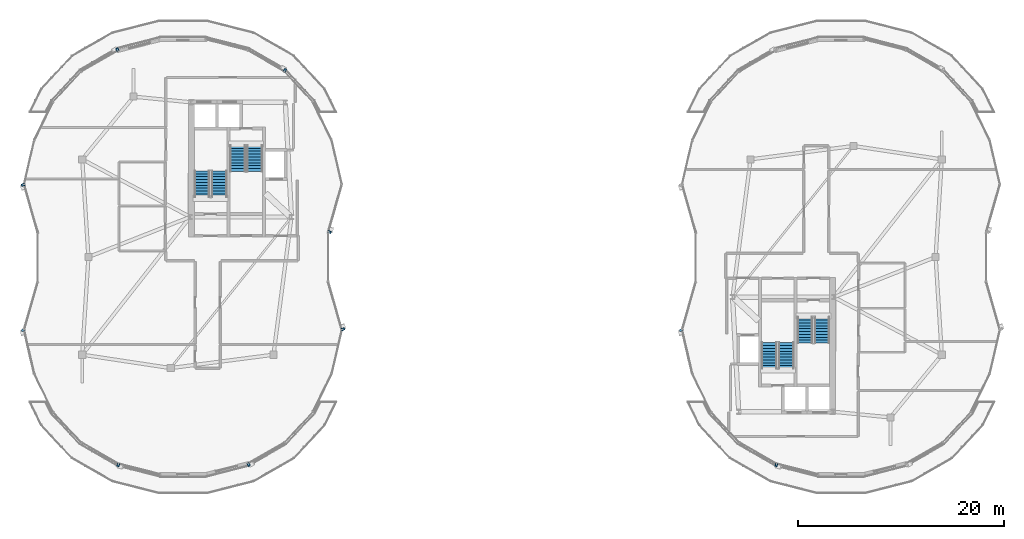
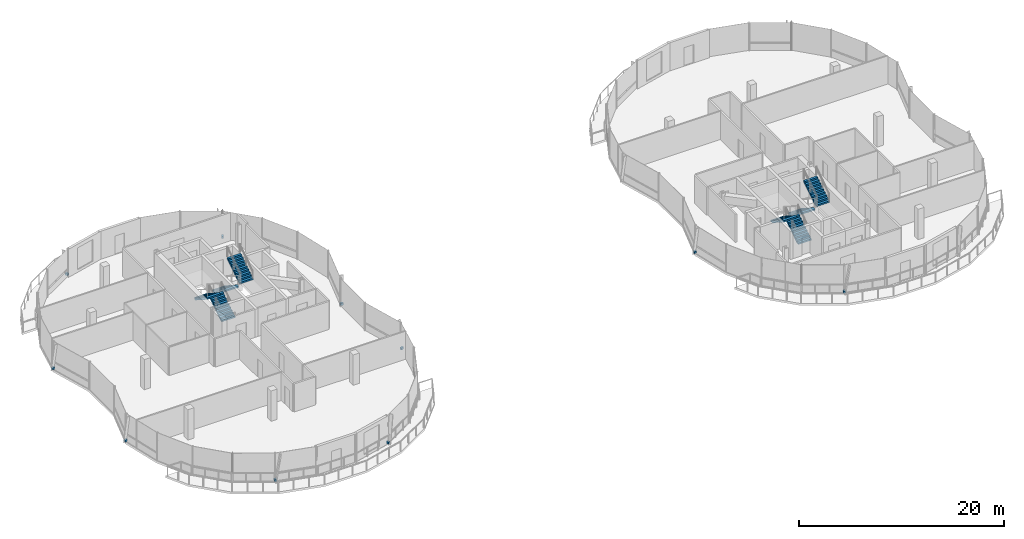
# One storey, part 15 of 20: 10 discrete accessories, 8 stair flights, 4 elements without a shape of their own.
"""IFC4 building model written with IfcOpenShell, lengths in metres."""

from ifc_helpers import new_model, si_unit, direction, frame, origin, origin_2d, place, context, subcontext, project, spatial, polyline, rectangle, outline, extrude, material, type_object, element, aggregate, save


model = new_model("IFC4")

# Units and contexts
model_context = context("Model", 3, precision=1e-05, world=origin(), true_north=direction((0.0, 1.0)))
body_context = subcontext(model_context, "Body", "Model", "MODEL_VIEW")
ifc_project = project(units=[si_unit("LENGTHUNIT", "METRE"), si_unit("AREAUNIT", "SQUARE_METRE"), si_unit("VOLUMEUNIT", "CUBIC_METRE"), si_unit("PLANEANGLEUNIT", "RADIAN"), si_unit("MASSUNIT", "GRAM", prefix="KILO"), si_unit("THERMODYNAMICTEMPERATUREUNIT", "KELVIN"), si_unit("POWERUNIT", "WATT")], contexts=[model_context])

# Site, building, storey
site_placement = place(None, origin())
site = spatial("IfcSite", under=ifc_project, at=site_placement, CompositionType="ELEMENT")
building_placement = place(site_placement, origin())
building = spatial("IfcBuilding", under=site, at=building_placement, Name="Cundina Bronze Exchange", CompositionType="ELEMENT")
storey_placement = place(building_placement, frame((0.0, 0.0, 279.199951171875)))
storey = spatial("IfcBuildingStorey", under=building, at=storey_placement, Name="L74", CompositionType="ELEMENT", Elevation=279.199951171875)

# Stair, stair flights
ifc_material_1 = material(Name="Concrete C40/50", Category="concrete")
stair_type = type_object("IfcStairType", Name="STR-OFF-360", PredefinedType="HALF_TURN_STAIR", material=ifc_material_1)
stair_1_placement = place(storey_placement, origin())
stair_1 = element("IfcStair", 1, at=stair_1_placement, inside=storey, type_object=stair_type, Name="L74 Smokeproof Exit Stair W1", PredefinedType="HALF_TURN_STAIR")
stair_flight_type = type_object("IfcStairFlightType", Name="FLG-OFF-180", PredefinedType="STRAIGHT", material=ifc_material_1)
stair_flight_1_placement = place(storey_placement, frame((-28.489990234375, 5.85009765625, 0.0), z_axis=(0.0, 0.0, 1.0), x_axis=(0.0, 1.0, 0.0)))
stair_flight_1 = element("IfcStairFlight", 2, at=stair_flight_1_placement, type_object=stair_flight_type, Name="ST-W1 flight 1", NumberOfRisers=10, NumberOfTreads=9, PredefinedType="STRAIGHT", RiserHeight=0.18, TreadLength=0.28, context=body_context, shape_type="SweptSolid", body=[
    extrude(outline(polyline([(0.0, 0.0), (0.0, 0.179931640625), (0.280029296875, 0.179931640625), (0.280029296875, 0.360107421875), (0.56005859375, 0.360107421875), (0.56005859375, 0.5400390625), (0.840087890625, 0.5400390625), (0.840087890625, 0.719970703125), (1.1201171875, 0.719970703125), (1.1201171875, 0.89990234375), (1.39990234375, 0.89990234375), (1.39990234375, 1.080078125), (1.679931640625, 1.080078125), (1.679931640625, 1.260009765625), (1.9599609375, 1.260009765625), (1.9599609375, 1.43994140625), (2.239990234375, 1.43994140625), (2.239990234375, 1.6201171875), (2.52001953125, 1.6201171875), (2.52001953125, 1.800048828125), (2.52001953125, 1.44189453125), (0.277099609375, 0.0), (0.0, 0.0)])), frame((0.0, 0.75, 0.0), z_axis=(0.0, -1.0, 0.0), x_axis=(1.0, 0.0, 0.0)), (0.0, 0.0, 1.0), 1.5),
])
stair_flight_2_placement = place(storey_placement, frame((-30.14990234375, 8.3701171875, 1.800048828125), z_axis=(0.0, 0.0, 1.0), x_axis=(0.0, -1.0, 0.0)))
stair_flight_2 = element("IfcStairFlight", 3, at=stair_flight_2_placement, type_object=stair_flight_type, Name="ST-W1 flight 2", NumberOfRisers=10, NumberOfTreads=9, PredefinedType="STRAIGHT", RiserHeight=0.18, TreadLength=0.28, context=body_context, shape_type="SweptSolid", body=[
    extrude(outline(polyline([(0.0, 0.0), (0.0, 0.179931640625), (0.280029296875, 0.179931640625), (0.280029296875, 0.360107421875), (0.56005859375, 0.360107421875), (0.56005859375, 0.5400390625), (0.840087890625, 0.5400390625), (0.840087890625, 0.719970703125), (1.1201171875, 0.719970703125), (1.1201171875, 0.89990234375), (1.39990234375, 0.89990234375), (1.39990234375, 1.080078125), (1.679931640625, 1.080078125), (1.679931640625, 1.260009765625), (1.9599609375, 1.260009765625), (1.9599609375, 1.43994140625), (2.239990234375, 1.43994140625), (2.239990234375, 1.6201171875), (2.52001953125, 1.6201171875), (2.52001953125, 1.800048828125), (2.52001953125, 1.44189453125), (0.277099609375, 0.0), (0.0, 0.0)])), frame((0.0, 0.75, 0.0), z_axis=(0.0, -1.0, 0.0), x_axis=(1.0, 0.0, 0.0)), (0.0, 0.0, 1.0), 1.5),
])
aggregate(stair_1, [stair_flight_1, stair_flight_2])

stair_2_placement = place(storey_placement, origin())
stair_2 = element("IfcStair", 4, at=stair_2_placement, inside=storey, type_object=stair_type, Name="L74 Smokeproof Exit Stair W2", PredefinedType="HALF_TURN_STAIR")
stair_flight_3_placement = place(storey_placement, frame((-26.68994140625, 10.85009765625, 0.0), z_axis=(0.0, 0.0, 1.0), x_axis=(0.0, -1.0, 0.0)))
stair_flight_3 = element("IfcStairFlight", 5, at=stair_flight_3_placement, type_object=stair_flight_type, Name="ST-W2 flight 1", NumberOfRisers=10, NumberOfTreads=9, PredefinedType="STRAIGHT", RiserHeight=0.18, TreadLength=0.28, context=body_context, shape_type="SweptSolid", body=[
    extrude(outline(polyline([(0.0, 0.0), (0.0, 0.179931640625), (0.280029296875, 0.179931640625), (0.280029296875, 0.360107421875), (0.56005859375, 0.360107421875), (0.56005859375, 0.5400390625), (0.840087890625, 0.5400390625), (0.840087890625, 0.719970703125), (1.1201171875, 0.719970703125), (1.1201171875, 0.89990234375), (1.39990234375, 0.89990234375), (1.39990234375, 1.080078125), (1.679931640625, 1.080078125), (1.679931640625, 1.260009765625), (1.9599609375, 1.260009765625), (1.9599609375, 1.43994140625), (2.239990234375, 1.43994140625), (2.239990234375, 1.6201171875), (2.52001953125, 1.6201171875), (2.52001953125, 1.800048828125), (2.52001953125, 1.44189453125), (0.277099609375, 0.0), (0.0, 0.0)])), frame((0.0, 0.75, 0.0), z_axis=(0.0, -1.0, 0.0), x_axis=(1.0, 0.0, 0.0)), (0.0, 0.0, 1.0), 1.5),
])
stair_flight_4_placement = place(storey_placement, frame((-25.030029296875, 8.330078125, 1.800048828125), z_axis=(0.0, 0.0, 1.0), x_axis=(0.0, 1.0, 0.0)))
stair_flight_4 = element("IfcStairFlight", 6, at=stair_flight_4_placement, type_object=stair_flight_type, Name="ST-W2 flight 2", NumberOfRisers=10, NumberOfTreads=9, PredefinedType="STRAIGHT", RiserHeight=0.18, TreadLength=0.28, context=body_context, shape_type="SweptSolid", body=[
    extrude(outline(polyline([(0.0, 0.0), (0.0, 0.179931640625), (0.280029296875, 0.179931640625), (0.280029296875, 0.360107421875), (0.56005859375, 0.360107421875), (0.56005859375, 0.5400390625), (0.840087890625, 0.5400390625), (0.840087890625, 0.719970703125), (1.1201171875, 0.719970703125), (1.1201171875, 0.89990234375), (1.39990234375, 0.89990234375), (1.39990234375, 1.080078125), (1.679931640625, 1.080078125), (1.679931640625, 1.260009765625), (1.9599609375, 1.260009765625), (1.9599609375, 1.43994140625), (2.239990234375, 1.43994140625), (2.239990234375, 1.6201171875), (2.52001953125, 1.6201171875), (2.52001953125, 1.800048828125), (2.52001953125, 1.44189453125), (0.277099609375, 0.0), (0.0, 0.0)])), frame((0.0, 0.75, 0.0), z_axis=(0.0, -1.0, 0.0), x_axis=(1.0, 0.0, 0.0)), (0.0, 0.0, 1.0), 1.5),
])
aggregate(stair_2, [stair_flight_3, stair_flight_4])

stair_3_placement = place(storey_placement, origin())
stair_3 = element("IfcStair", 7, at=stair_3_placement, inside=storey, type_object=stair_type, Name="L74 Smokeproof Exit Stair E1", PredefinedType="HALF_TURN_STAIR")
stair_flight_5_placement = place(storey_placement, frame((28.489990234375, -5.85009765625, 0.0), z_axis=(0.0, 0.0, 1.0), x_axis=(0.0, -1.0, 0.0)))
stair_flight_5 = element("IfcStairFlight", 8, at=stair_flight_5_placement, type_object=stair_flight_type, Name="ST-E1 flight 1", NumberOfRisers=10, NumberOfTreads=9, PredefinedType="STRAIGHT", RiserHeight=0.18, TreadLength=0.28, context=body_context, shape_type="SweptSolid", body=[
    extrude(outline(polyline([(0.0, 0.0), (0.0, 0.179931640625), (0.280029296875, 0.179931640625), (0.280029296875, 0.360107421875), (0.56005859375, 0.360107421875), (0.56005859375, 0.5400390625), (0.840087890625, 0.5400390625), (0.840087890625, 0.719970703125), (1.1201171875, 0.719970703125), (1.1201171875, 0.89990234375), (1.39990234375, 0.89990234375), (1.39990234375, 1.080078125), (1.679931640625, 1.080078125), (1.679931640625, 1.260009765625), (1.9599609375, 1.260009765625), (1.9599609375, 1.43994140625), (2.239990234375, 1.43994140625), (2.239990234375, 1.6201171875), (2.52001953125, 1.6201171875), (2.52001953125, 1.800048828125), (2.52001953125, 1.44189453125), (0.277099609375, 0.0), (0.0, 0.0)])), frame((0.0, 0.75, 0.0), z_axis=(0.0, -1.0, 0.0), x_axis=(1.0, 0.0, 0.0)), (0.0, 0.0, 1.0), 1.5),
])
stair_flight_6_placement = place(storey_placement, frame((30.14990234375, -8.3701171875, 1.800048828125), z_axis=(0.0, 0.0, 1.0), x_axis=(0.0, 1.0, 0.0)))
stair_flight_6 = element("IfcStairFlight", 9, at=stair_flight_6_placement, type_object=stair_flight_type, Name="ST-E1 flight 2", NumberOfRisers=10, NumberOfTreads=9, PredefinedType="STRAIGHT", RiserHeight=0.18, TreadLength=0.28, context=body_context, shape_type="SweptSolid", body=[
    extrude(outline(polyline([(0.0, 0.0), (0.0, 0.179931640625), (0.280029296875, 0.179931640625), (0.280029296875, 0.360107421875), (0.56005859375, 0.360107421875), (0.56005859375, 0.5400390625), (0.840087890625, 0.5400390625), (0.840087890625, 0.719970703125), (1.1201171875, 0.719970703125), (1.1201171875, 0.89990234375), (1.39990234375, 0.89990234375), (1.39990234375, 1.080078125), (1.679931640625, 1.080078125), (1.679931640625, 1.260009765625), (1.9599609375, 1.260009765625), (1.9599609375, 1.43994140625), (2.239990234375, 1.43994140625), (2.239990234375, 1.6201171875), (2.52001953125, 1.6201171875), (2.52001953125, 1.800048828125), (2.52001953125, 1.44189453125), (0.277099609375, 0.0), (0.0, 0.0)])), frame((0.0, 0.75, 0.0), z_axis=(0.0, -1.0, 0.0), x_axis=(1.0, 0.0, 0.0)), (0.0, 0.0, 1.0), 1.5),
])
aggregate(stair_3, [stair_flight_5, stair_flight_6])

stair_4_placement = place(storey_placement, origin())
stair_4 = element("IfcStair", 10, at=stair_4_placement, inside=storey, type_object=stair_type, Name="L74 Smokeproof Exit Stair E2", PredefinedType="HALF_TURN_STAIR")
stair_flight_7_placement = place(storey_placement, frame((26.68994140625, -10.85009765625, 0.0), z_axis=(0.0, 0.0, 1.0), x_axis=(0.0, 1.0, 0.0)))
stair_flight_7 = element("IfcStairFlight", 11, at=stair_flight_7_placement, type_object=stair_flight_type, Name="ST-E2 flight 1", NumberOfRisers=10, NumberOfTreads=9, PredefinedType="STRAIGHT", RiserHeight=0.18, TreadLength=0.28, context=body_context, shape_type="SweptSolid", body=[
    extrude(outline(polyline([(0.0, 0.0), (0.0, 0.179931640625), (0.280029296875, 0.179931640625), (0.280029296875, 0.360107421875), (0.56005859375, 0.360107421875), (0.56005859375, 0.5400390625), (0.840087890625, 0.5400390625), (0.840087890625, 0.719970703125), (1.1201171875, 0.719970703125), (1.1201171875, 0.89990234375), (1.39990234375, 0.89990234375), (1.39990234375, 1.080078125), (1.679931640625, 1.080078125), (1.679931640625, 1.260009765625), (1.9599609375, 1.260009765625), (1.9599609375, 1.43994140625), (2.239990234375, 1.43994140625), (2.239990234375, 1.6201171875), (2.52001953125, 1.6201171875), (2.52001953125, 1.800048828125), (2.52001953125, 1.44189453125), (0.277099609375, 0.0), (0.0, 0.0)])), frame((0.0, 0.75, 0.0), z_axis=(0.0, -1.0, 0.0), x_axis=(1.0, 0.0, 0.0)), (0.0, 0.0, 1.0), 1.5),
])
stair_flight_8_placement = place(storey_placement, frame((25.030029296875, -8.330078125, 1.800048828125), z_axis=(0.0, 0.0, 1.0), x_axis=(0.0, -1.0, 0.0)))
stair_flight_8 = element("IfcStairFlight", 12, at=stair_flight_8_placement, type_object=stair_flight_type, Name="ST-E2 flight 2", NumberOfRisers=10, NumberOfTreads=9, PredefinedType="STRAIGHT", RiserHeight=0.18, TreadLength=0.28, context=body_context, shape_type="SweptSolid", body=[
    extrude(outline(polyline([(0.0, 0.0), (0.0, 0.179931640625), (0.280029296875, 0.179931640625), (0.280029296875, 0.360107421875), (0.56005859375, 0.360107421875), (0.56005859375, 0.5400390625), (0.840087890625, 0.5400390625), (0.840087890625, 0.719970703125), (1.1201171875, 0.719970703125), (1.1201171875, 0.89990234375), (1.39990234375, 0.89990234375), (1.39990234375, 1.080078125), (1.679931640625, 1.080078125), (1.679931640625, 1.260009765625), (1.9599609375, 1.260009765625), (1.9599609375, 1.43994140625), (2.239990234375, 1.43994140625), (2.239990234375, 1.6201171875), (2.52001953125, 1.6201171875), (2.52001953125, 1.800048828125), (2.52001953125, 1.44189453125), (0.277099609375, 0.0), (0.0, 0.0)])), frame((0.0, 0.75, 0.0), z_axis=(0.0, -1.0, 0.0), x_axis=(1.0, 0.0, 0.0)), (0.0, 0.0, 1.0), 1.5),
])
aggregate(stair_4, [stair_flight_7, stair_flight_8])

# Discrete accessories
ifc_material_2 = material(Name="Anodised Bronze Aluminium 6063-T6", Category="aluminium")
discrete_accessory_type = type_object("IfcDiscreteAccessoryType", Name="ACC-BRK-FIN", PredefinedType="BRACKET", material=ifc_material_2)
for number, where, z_axis, x_axis, name in (
    (13, (-17.7578125, 2.43701171875, 0.10009765625), (0.0, 0.0, 1.0), (0.274563444462, 0.961568986067, 0.0), "L74 Fin Support Bracket 1"),
    (14, (-22.08544921875, 18.1513671875, 0.10009765625), (0.0, 0.0, 1.0), (-0.866452692699, 0.499259182503, 0.0), "L74 Fin Support Bracket 5"),
    (15, (-38.385498046875, 20.184814453125, 0.10009765625), (0.0, 0.0, 1.0), (-0.866452692699, -0.499259182503, 0.0), "L74 Fin Support Bracket 1"),
    (16, (-47.55126953125, 7.021484375, 0.10009765625), (0.0, 0.0, 1.0), (0.274563444462, -0.961568986067, 0.0), "L74 Fin Support Bracket 5"),
    (17, (-47.553466796875, -7.114501953125, 0.10009765625), (0.0, 0.0, 1.0), (0.225240145856, -0.974303277576, 0.0), "L74 Fin Support Bracket 1"),
    (18, (-38.29931640625, -20.219970703125, 0.10009765625), (0.0, 0.0, 1.0), (0.968743556079, -0.24806435164, 0.0), "L74 Fin Support Bracket 5"),
    (19, (-25.614501953125, -20.184814453125, 0.10009765625), (0.0, 0.0, 1.0), (0.866452692699, 0.499259182503, 0.0), "L74 Fin Support Bracket 1"),
    (20, (-16.44873046875, -7.021484375, 0.10009765625), (0.0, 0.0, 1.0), (-0.274563444462, 0.961568986067, 0.0), "L74 Fin Support Bracket 5"),
    (21, (16.446533203125, -7.114501953125, 0.10009765625), (0.0, 0.0, 1.0), (0.225240145856, -0.974303277576, 0.0), "L74 Fin Support Bracket 1"),
    (22, (25.70068359375, -20.219970703125, 0.10009765625), (0.0, 0.0, 1.0), (0.968743556079, -0.24806435164, 0.0), "L74 Fin Support Bracket 5"),
):
    element("IfcDiscreteAccessory", number, at=place(storey_placement, frame(where, z_axis=z_axis, x_axis=x_axis)), inside=storey, type_object=discrete_accessory_type, Name=name, PredefinedType="BRACKET", context=body_context, shape_type="SweptSolid", body=[
        extrude(rectangle(XDim=0.219970703125, YDim=0.320068359375, at=origin_2d()), origin(), (0.0, 0.0, 1.0), 0.239990234375),
    ])

save(model, "model.ifc")
